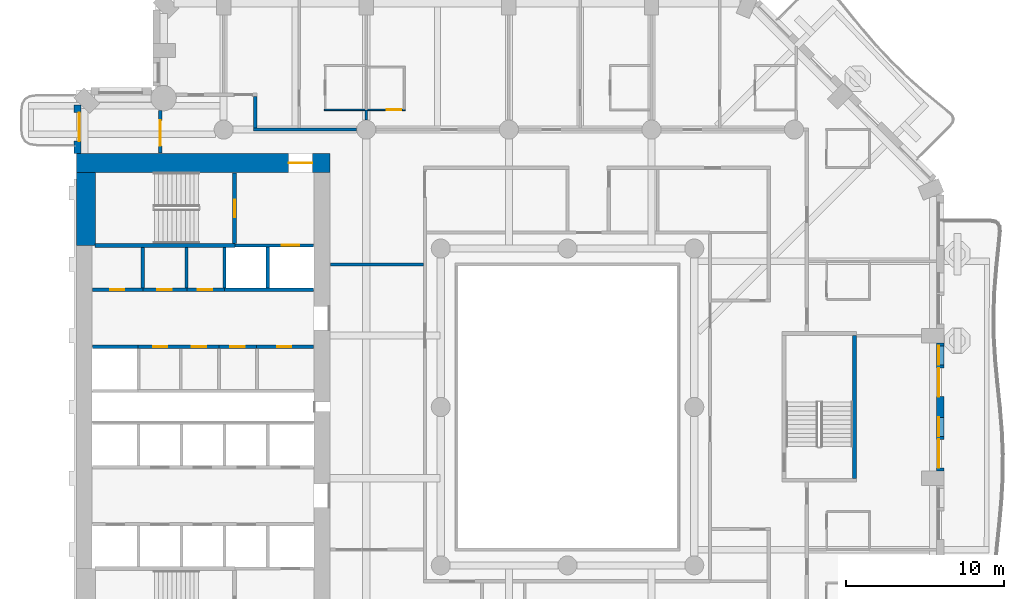
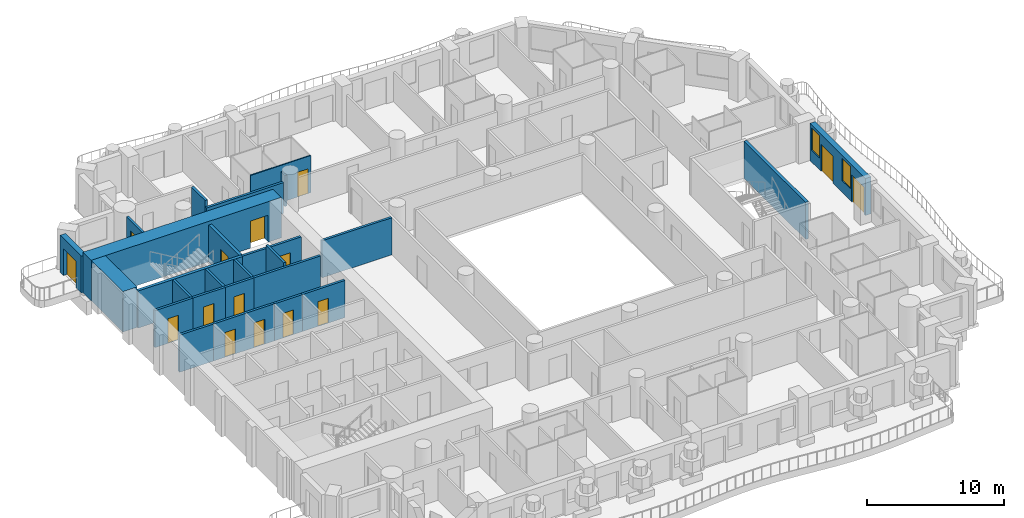
# One storey, part 7 of 20: 26 walls, 15 doors, 2 windows, 17 openings.
"""IFC4 building model written with IfcOpenShell, lengths in metres."""

from ifc_helpers import new_model, si_unit, direction, frame, frame_2d, origin, place, context, subcontext, project, spatial, rectangle, extrude, material, layer, layer_set, type_object, element, fill, save


model = new_model("IFC4")

# Units and contexts
model_context = context("Model", 3, precision=1e-05, world=origin(), true_north=direction((0.0, 1.0)))
body_context = subcontext(model_context, "Body", "Model", "MODEL_VIEW")
ifc_project = project(units=[si_unit("LENGTHUNIT", "METRE"), si_unit("AREAUNIT", "SQUARE_METRE"), si_unit("VOLUMEUNIT", "CUBIC_METRE"), si_unit("PLANEANGLEUNIT", "RADIAN"), si_unit("MASSUNIT", "GRAM", prefix="KILO")], contexts=[model_context])

# Site, building, storey
site_placement = place(None, origin())
site = spatial("IfcSite", under=ifc_project, at=site_placement, CompositionType="ELEMENT")
building_placement = place(site_placement, origin())
building = spatial("IfcBuilding", under=site, at=building_placement, Name="Cypress Arch Tower", CompositionType="ELEMENT")
storey_placement = place(building_placement, frame((0.0, 0.0, 80.699951171875)))
storey = spatial("IfcBuildingStorey", under=building, at=storey_placement, Name="L14", CompositionType="ELEMENT", Elevation=80.699951171875)

# Wall, opening, door
ifc_material_1 = material(Name="Brick (red buff blend)", Category="masonry")
ifc_layer_1 = layer(ifc_material_1, 0.449951171875)
ifc_layer_set_1 = layer_set([ifc_layer_1], Name="Brick pier and spandrel wall BW450")
wall_type_1 = type_object("IfcWallType", Name="Brick pier and spandrel wall BW450", PredefinedType="SOLIDWALL", material=ifc_layer_set_1)
wall_1_placement = place(storey_placement, frame((-29.925048828125, 19.063720703125, 0.0), z_axis=(0.0, 0.0, 1.0), x_axis=(0.0, -1.0, 0.0)))
wall_1 = element("IfcWall", 1, at=wall_1_placement, inside=storey, type_object=wall_type_1, Name="Brick wall L14 A00.0", PredefinedType="SOLIDWALL", context=body_context, shape_type="SweptSolid", body=[
    extrude(rectangle(XDim=3.063720703125, YDim=0.449951171875, at=frame_2d((1.53173828125, 0.0))), origin(), (0.0, 0.0, 1.0), 3.300048828125),
])
opening_1_placement = place(wall_1_placement, frame((0.481689453125, 0.0, 0.0)))
opening_1 = element("IfcOpeningElement", 2, at=opening_1_placement, cuts=wall_1, Name="Opening D-L14-A00.0.1", PredefinedType="OPENING", context=body_context, shape_type="SweptSolid", body=[
    extrude(rectangle(XDim=1.800048828125, YDim=2.39990234375, at=frame_2d((0.89990234375, 1.199951171875))), frame((0.0, 0.23486328125, 0.0), z_axis=(0.0, -1.0, 0.0), x_axis=(1.0, 0.0, 0.0)), (0.0, 0.0, 1.0), 0.469970703125),
])
ifc_material_2 = material(Name="Anodised aluminium, bronze finish, laminated low-emissivity double glazing, large-missile impact rated", Category="aluminium")
door_type_1 = type_object("IfcDoorType", Name="Balcony sliding door 1800x2400", OperationType="SLIDING_TO_LEFT", PredefinedType="DOOR", material=ifc_material_2)
door_1_placement = place(opening_1_placement, origin())
door_1 = element("IfcDoor", 3, at=door_1_placement, inside=storey, type_object=door_type_1, Name="Balcony door L14 A00.0.1", OperationType="SLIDING_TO_LEFT", OverallHeight=2.39990234375, OverallWidth=1.800048828125, PredefinedType="DOOR", context=body_context, shape_type="SweptSolid", body=[
    extrude(rectangle(XDim=1.800048828125, YDim=2.39990234375, at=frame_2d((0.89990234375, 1.199951171875))), frame((0.0, 0.1298828125, 0.0), z_axis=(0.0, -1.0, 0.0), x_axis=(1.0, 0.0, 0.0)), (0.0, 0.0, 1.0), 0.050048828125),
])
fill(opening_1, door_1)

# Wall, openings, doors, windows
wall_2_placement = place(storey_placement, frame((24.52490234375, -4.050048828125, 0.0), z_axis=(0.0, 0.0, 1.0), x_axis=(0.0, 1.0, 0.0)))
wall_2 = element("IfcWall", 4, at=wall_2_placement, inside=storey, type_object=wall_type_1, Name="Brick wall L14 A06.2", PredefinedType="SOLIDWALL", context=body_context, shape_type="SweptSolid", body=[
    extrude(rectangle(XDim=8.10009765625, YDim=0.449951171875, at=frame_2d((4.050048828125, 0.0))), origin(), (0.0, 0.0, 1.0), 3.300048828125),
])
opening_2_placement = place(wall_2_placement, frame((0.199951171875, 0.0, 0.0)))
opening_2 = element("IfcOpeningElement", 5, at=opening_2_placement, cuts=wall_2, Name="Opening D-L14-A06.2.1", PredefinedType="OPENING", context=body_context, shape_type="SweptSolid", body=[
    extrude(rectangle(XDim=1.800048828125, YDim=2.39990234375, at=frame_2d((0.89990234375, 1.199951171875))), frame((0.0, 0.23486328125, 0.0), z_axis=(0.0, -1.0, 0.0), x_axis=(1.0, 0.0, 0.0)), (0.0, 0.0, 1.0), 0.469970703125),
])
opening_3_placement = place(wall_2_placement, frame((2.199951171875, 0.0, 1.050048828125)))
opening_3 = element("IfcOpeningElement", 6, at=opening_3_placement, cuts=wall_2, Name="Opening W120HD", PredefinedType="OPENING", context=body_context, shape_type="SweptSolid", body=[
    extrude(rectangle(XDim=1.199951171875, YDim=2.0, at=frame_2d((0.60009765625, 1.0))), frame((0.0, 0.23486328125, 0.0), z_axis=(0.0, -1.0, 0.0), x_axis=(1.0, 0.0, 0.0)), (0.0, 0.0, 1.0), 0.469970703125),
])
opening_4_placement = place(wall_2_placement, frame((4.699951171875, 0.0, 0.0)))
opening_4 = element("IfcOpeningElement", 7, at=opening_4_placement, cuts=wall_2, Name="Opening D-L14-A06.2.2", PredefinedType="OPENING", context=body_context, shape_type="SweptSolid", body=[
    extrude(rectangle(XDim=1.800048828125, YDim=2.39990234375, at=frame_2d((0.89990234375, 1.199951171875))), frame((0.0, 0.23486328125, 0.0), z_axis=(0.0, -1.0, 0.0), x_axis=(1.0, 0.0, 0.0)), (0.0, 0.0, 1.0), 0.469970703125),
])
opening_5_placement = place(wall_2_placement, frame((6.699951171875, 0.0, 1.050048828125)))
opening_5 = element("IfcOpeningElement", 8, at=opening_5_placement, cuts=wall_2, Name="Opening W120HD", PredefinedType="OPENING", context=body_context, shape_type="SweptSolid", body=[
    extrude(rectangle(XDim=1.199951171875, YDim=2.0, at=frame_2d((0.60009765625, 1.0))), frame((0.0, 0.23486328125, 0.0), z_axis=(0.0, -1.0, 0.0), x_axis=(1.0, 0.0, 0.0)), (0.0, 0.0, 1.0), 0.469970703125),
])
door_2_placement = place(opening_2_placement, origin())
door_2 = element("IfcDoor", 9, at=door_2_placement, inside=storey, type_object=door_type_1, Name="Balcony door L14 A06.2.1", OperationType="SLIDING_TO_LEFT", OverallHeight=2.39990234375, OverallWidth=1.800048828125, PredefinedType="DOOR", context=body_context, shape_type="SweptSolid", body=[
    extrude(rectangle(XDim=1.800048828125, YDim=2.39990234375, at=frame_2d((0.89990234375, 1.199951171875))), frame((0.0, 0.1298828125, 0.0), z_axis=(0.0, -1.0, 0.0), x_axis=(1.0, 0.0, 0.0)), (0.0, 0.0, 1.0), 0.050048828125),
])
fill(opening_2, door_2)
door_3_placement = place(opening_4_placement, origin())
door_3 = element("IfcDoor", 10, at=door_3_placement, inside=storey, type_object=door_type_1, Name="Balcony door L14 A06.2.2", OperationType="SLIDING_TO_LEFT", OverallHeight=2.39990234375, OverallWidth=1.800048828125, PredefinedType="DOOR", context=body_context, shape_type="SweptSolid", body=[
    extrude(rectangle(XDim=1.800048828125, YDim=2.39990234375, at=frame_2d((0.89990234375, 1.199951171875))), frame((0.0, 0.1298828125, 0.0), z_axis=(0.0, -1.0, 0.0), x_axis=(1.0, 0.0, 0.0)), (0.0, 0.0, 1.0), 0.050048828125),
])
fill(opening_4, door_3)
ifc_material_3 = material(Name="Anodised aluminium, bronze finish, laminated low-emissivity double glazing, large-missile impact rated", Category="aluminium")
window_type = type_object("IfcWindowType", Name="Window Hotel 1200x2000 debris-rated", PartitioningType="SINGLE_PANEL", PredefinedType="WINDOW", material=ifc_material_3)
window_1_placement = place(opening_3_placement, origin())
window_1 = element("IfcWindow", 11, at=window_1_placement, inside=storey, type_object=window_type, Name="Window L14 A06.2.1", OverallHeight=2.0, OverallWidth=1.199951171875, PartitioningType="SINGLE_PANEL", PredefinedType="WINDOW", context=body_context, shape_type="SweptSolid", body=[
    extrude(rectangle(XDim=1.199951171875, YDim=2.0, at=frame_2d((0.60009765625, 1.0))), frame((0.0, 0.135009765625, 0.0), z_axis=(0.0, -1.0, 0.0), x_axis=(1.0, 0.0, 0.0)), (0.0, 0.0, 1.0), 0.06005859375),
])
fill(opening_3, window_1)
window_2_placement = place(opening_5_placement, origin())
window_2 = element("IfcWindow", 12, at=window_2_placement, inside=storey, type_object=window_type, Name="Window L14 A06.2.2", OverallHeight=2.0, OverallWidth=1.199951171875, PartitioningType="SINGLE_PANEL", PredefinedType="WINDOW", context=body_context, shape_type="SweptSolid", body=[
    extrude(rectangle(XDim=1.199951171875, YDim=2.0, at=frame_2d((0.60009765625, 1.0))), frame((0.0, 0.135009765625, 0.0), z_axis=(0.0, -1.0, 0.0), x_axis=(1.0, 0.0, 0.0)), (0.0, 0.0, 1.0), 0.06005859375),
])
fill(opening_5, window_2)

# Wall, opening, door
ifc_material_4 = material(Name="Concrete C80/95", Category="concrete")
ifc_layer_2 = layer(ifc_material_4, 1.199951171875)
ifc_layer_set_2 = layer_set([ifc_layer_2], Name="Core wall CW1200 C80/95")
wall_type_2 = type_object("IfcWallType", Name="Core wall CW1200 C80/95", PredefinedType="SHEAR", material=ifc_layer_set_2)
wall_3_placement = place(storey_placement, frame((-30.0, 15.39990234375, 0.0), z_axis=(0.0, 0.0, 1.0), x_axis=(1.0, 0.0, 0.0)))
wall_3 = element("IfcWall", 13, at=wall_3_placement, inside=storey, type_object=wall_type_2, Name="Core wall", PredefinedType="SHEAR", context=body_context, shape_type="SweptSolid", body=[
    extrude(rectangle(XDim=16.0, YDim=1.199951171875, at=frame_2d((8.0, 0.0))), origin(), (0.0, 0.0, 1.0), 3.60009765625),
])
opening_6_placement = place(wall_3_placement, frame((13.39990234375, 0.0, 0.0)))
opening_6 = element("IfcOpeningElement", 14, at=opening_6_placement, cuts=wall_3, Name="Opening D07", PredefinedType="OPENING", context=body_context, shape_type="SweptSolid", body=[
    extrude(rectangle(XDim=1.5, YDim=2.39990234375, at=frame_2d((0.75, 1.199951171875))), frame((0.0, 0.60986328125, 0.0), z_axis=(0.0, -1.0, 0.0), x_axis=(1.0, 0.0, 0.0)), (0.0, 0.0, 1.0), 1.219970703125),
])
ifc_material_5 = material(Name="Steel framed glazed door, fire resisting", Category="steel")
door_type_2 = type_object("IfcDoorType", Name="Lobby door D07 1500x2400", OperationType="DOUBLE_DOOR_SINGLE_SWING", PredefinedType="DOOR", material=ifc_material_5)
door_4_placement = place(opening_6_placement, origin())
door_4 = element("IfcDoor", 15, at=door_4_placement, inside=storey, type_object=door_type_2, Name="Lobby door", OperationType="DOUBLE_DOOR_SINGLE_SWING", OverallHeight=2.39990234375, OverallWidth=1.5, PredefinedType="DOOR", context=body_context, shape_type="SweptSolid", body=[
    extrude(rectangle(XDim=1.5, YDim=2.39990234375, at=frame_2d((0.75, 1.199951171875))), frame((0.0, 0.02490234375, 0.0), z_axis=(0.0, -1.0, 0.0), x_axis=(1.0, 0.0, 0.0)), (0.0, 0.0, 1.0), 0.050048828125),
])
fill(opening_6, door_4)

# Wall
wall_4_placement = place(storey_placement, frame((-29.39990234375, 10.199951171875, 0.0), z_axis=(0.0, 0.0, 1.0), x_axis=(0.0, 1.0, 0.0)))
element("IfcWall", 16, at=wall_4_placement, inside=storey, type_object=wall_type_2, Name="Core wall", PredefinedType="SHEAR", context=body_context, shape_type="SweptSolid", body=[
    extrude(rectangle(XDim=4.60009765625, YDim=1.199951171875, at=frame_2d((2.300048828125, 0.0))), origin(), (0.0, 0.0, 1.0), 3.60009765625),
])

# Wall, opening, door
ifc_material_6 = material(Name="Concrete blockwork, plastered, rated", Category="masonry")
ifc_layer_3 = layer(ifc_material_6, 0.199951171875)
ifc_layer_set_3 = layer_set([ifc_layer_3], Name="Corridor wall FW200")
wall_type_3 = type_object("IfcWallType", Name="Corridor wall FW200", PredefinedType="PARTITIONING", material=ifc_layer_set_3)
wall_5_placement = place(storey_placement, frame((-28.969970703125, 7.39990234375, 0.0), z_axis=(0.0, 0.0, 1.0), x_axis=(1.0, 0.0, 0.0)))
wall_5 = element("IfcWall", 17, at=wall_5_placement, inside=storey, type_object=wall_type_3, Name="Corridor wall", PredefinedType="PARTITIONING", context=body_context, shape_type="SweptSolid", body=[
    extrude(rectangle(XDim=3.18994140625, YDim=0.199951171875, at=frame_2d((1.594970703125, 0.0))), origin(), (0.0, 0.0, 1.0), 3.300048828125),
])
opening_7_placement = place(wall_5_placement, frame((1.10009765625, 0.0, 0.0)))
opening_7 = element("IfcOpeningElement", 18, at=opening_7_placement, cuts=wall_5, Name="Opening D05", PredefinedType="OPENING", context=body_context, shape_type="SweptSolid", body=[
    extrude(rectangle(XDim=0.89990234375, YDim=2.199951171875, at=frame_2d((0.449951171875, 1.10009765625))), frame((0.0, 0.10986328125, 0.0), z_axis=(0.0, -1.0, 0.0), x_axis=(1.0, 0.0, 0.0)), (0.0, 0.0, 1.0), 0.219970703125),
])
ifc_material_7 = material(Name="Timber flush door", Category="wood")
door_type_3 = type_object("IfcDoorType", Name="Service door D05 900x2200", OperationType="SINGLE_SWING_LEFT", PredefinedType="DOOR", material=ifc_material_7)
door_5_placement = place(opening_7_placement, origin())
door_5 = element("IfcDoor", 19, at=door_5_placement, inside=storey, type_object=door_type_3, Name="Service door", OperationType="SINGLE_SWING_RIGHT", OverallHeight=2.199951171875, OverallWidth=0.89990234375, PredefinedType="DOOR", context=body_context, shape_type="SweptSolid", body=[
    extrude(rectangle(XDim=0.89990234375, YDim=2.199951171875, at=frame_2d((0.449951171875, 1.10009765625))), frame((0.0, 0.02490234375, 0.0), z_axis=(0.0, -1.0, 0.0), x_axis=(1.0, 0.0, 0.0)), (0.0, 0.0, 1.0), 0.050048828125),
])
fill(opening_7, door_5)

# Wall, openings, doors
wall_6_placement = place(storey_placement, frame((-26.10009765625, 3.800048828125, 0.0), z_axis=(0.0, 0.0, 1.0), x_axis=(1.0, 0.0, 0.0)))
wall_6 = element("IfcWall", 20, at=wall_6_placement, inside=storey, type_object=wall_type_3, Name="Corridor wall", PredefinedType="PARTITIONING", context=body_context, shape_type="SweptSolid", body=[
    extrude(rectangle(XDim=5.1201171875, YDim=0.199951171875, at=frame_2d((2.56005859375, 0.0))), origin(), (0.0, 0.0, 1.0), 3.300048828125),
])
opening_8_placement = place(wall_6_placement, frame((0.949951171875, 0.0, 0.0)))
opening_8 = element("IfcOpeningElement", 21, at=opening_8_placement, cuts=wall_6, Name="Opening D05", PredefinedType="OPENING", context=body_context, shape_type="SweptSolid", body=[
    extrude(rectangle(XDim=0.89990234375, YDim=2.199951171875, at=frame_2d((0.449951171875, 1.10009765625))), frame((0.0, 0.10986328125, 0.0), z_axis=(0.0, -1.0, 0.0), x_axis=(1.0, 0.0, 0.0)), (0.0, 0.0, 1.0), 0.219970703125),
])
opening_9_placement = place(wall_6_placement, frame((3.39990234375, 0.0, 0.0)))
opening_9 = element("IfcOpeningElement", 22, at=opening_9_placement, cuts=wall_6, Name="Opening D05", PredefinedType="OPENING", context=body_context, shape_type="SweptSolid", body=[
    extrude(rectangle(XDim=0.89990234375, YDim=2.199951171875, at=frame_2d((0.449951171875, 1.10009765625))), frame((0.0, 0.10986328125, 0.0), z_axis=(0.0, -1.0, 0.0), x_axis=(1.0, 0.0, 0.0)), (0.0, 0.0, 1.0), 0.219970703125),
])
door_6_placement = place(opening_8_placement, origin())
door_6 = element("IfcDoor", 23, at=door_6_placement, inside=storey, type_object=door_type_3, Name="Service door", OperationType="SINGLE_SWING_LEFT", OverallHeight=2.199951171875, OverallWidth=0.89990234375, PredefinedType="DOOR", context=body_context, shape_type="SweptSolid", body=[
    extrude(rectangle(XDim=0.89990234375, YDim=2.199951171875, at=frame_2d((0.449951171875, 1.10009765625))), frame((0.0, 0.02490234375, 0.0), z_axis=(0.0, -1.0, 0.0), x_axis=(1.0, 0.0, 0.0)), (0.0, 0.0, 1.0), 0.050048828125),
])
fill(opening_8, door_6)
door_7_placement = place(opening_9_placement, origin())
door_7 = element("IfcDoor", 24, at=door_7_placement, inside=storey, type_object=door_type_3, Name="Service door", OperationType="SINGLE_SWING_RIGHT", OverallHeight=2.199951171875, OverallWidth=0.89990234375, PredefinedType="DOOR", context=body_context, shape_type="SweptSolid", body=[
    extrude(rectangle(XDim=0.89990234375, YDim=2.199951171875, at=frame_2d((0.449951171875, 1.10009765625))), frame((0.0, 0.02490234375, 0.0), z_axis=(0.0, -1.0, 0.0), x_axis=(1.0, 0.0, 0.0)), (0.0, 0.0, 1.0), 0.050048828125),
])
fill(opening_9, door_7)

# Wall, opening, door
wall_7_placement = place(storey_placement, frame((-24.699951171875, 16.030029296875, 0.0), z_axis=(0.0, 0.0, 1.0), x_axis=(0.0, 1.0, 0.0)))
wall_7 = element("IfcWall", 25, at=wall_7_placement, inside=storey, type_object=wall_type_3, Name="Corridor wall", PredefinedType="PARTITIONING", context=body_context, shape_type="SweptSolid", body=[
    extrude(rectangle(XDim=2.670166015625, YDim=0.199951171875, at=frame_2d((1.3349609375, 0.0))), origin(), (0.0, 0.0, 1.0), 3.300048828125),
])
opening_10_placement = place(wall_7_placement, frame((0.449951171875, 0.0, 0.0)))
opening_10 = element("IfcOpeningElement", 26, at=opening_10_placement, cuts=wall_7, Name="Opening D10", PredefinedType="OPENING", context=body_context, shape_type="SweptSolid", body=[
    extrude(rectangle(XDim=1.60009765625, YDim=2.39990234375, at=frame_2d((0.800048828125, 1.199951171875))), frame((0.0, 0.10986328125, 0.0), z_axis=(0.0, -1.0, 0.0), x_axis=(1.0, 0.0, 0.0)), (0.0, 0.0, 1.0), 0.219970703125),
])
ifc_material_8 = material(Name="Black aluminium glazed door", Category="aluminium")
door_type_4 = type_object("IfcDoorType", Name="Amenity door D10 1600x2400", OperationType="DOUBLE_DOOR_SINGLE_SWING", PredefinedType="DOOR", material=ifc_material_8)
door_8_placement = place(opening_10_placement, origin())
door_8 = element("IfcDoor", 27, at=door_8_placement, inside=storey, type_object=door_type_4, Name="Amenity door", OperationType="DOUBLE_DOOR_SINGLE_SWING", OverallHeight=2.39990234375, OverallWidth=1.60009765625, PredefinedType="DOOR", context=body_context, shape_type="SweptSolid", body=[
    extrude(rectangle(XDim=1.60009765625, YDim=2.39990234375, at=frame_2d((0.800048828125, 1.199951171875))), frame((0.0, 0.02490234375, 0.0), z_axis=(0.0, -1.0, 0.0), x_axis=(1.0, 0.0, 0.0)), (0.0, 0.0, 1.0), 0.050048828125),
])
fill(opening_10, door_8)

wall_8_placement = place(storey_placement, frame((-23.02001953125, 7.39990234375, 0.0), z_axis=(0.0, 0.0, 1.0), x_axis=(1.0, 0.0, 0.0)))
wall_8 = element("IfcWall", 28, at=wall_8_placement, inside=storey, type_object=wall_type_3, Name="Corridor wall", PredefinedType="PARTITIONING", context=body_context, shape_type="SweptSolid", body=[
    extrude(rectangle(XDim=2.380126953125, YDim=0.199951171875, at=frame_2d((1.18994140625, 0.0))), origin(), (0.0, 0.0, 1.0), 3.300048828125),
])
opening_11_placement = place(wall_8_placement, frame((0.699951171875, 0.0, 0.0)))
opening_11 = element("IfcOpeningElement", 29, at=opening_11_placement, cuts=wall_8, Name="Opening D05", PredefinedType="OPENING", context=body_context, shape_type="SweptSolid", body=[
    extrude(rectangle(XDim=0.89990234375, YDim=2.199951171875, at=frame_2d((0.449951171875, 1.10009765625))), frame((0.0, 0.10986328125, 0.0), z_axis=(0.0, -1.0, 0.0), x_axis=(1.0, 0.0, 0.0)), (0.0, 0.0, 1.0), 0.219970703125),
])
door_9_placement = place(opening_11_placement, origin())
door_9 = element("IfcDoor", 30, at=door_9_placement, inside=storey, type_object=door_type_3, Name="Service door", OperationType="SINGLE_SWING_LEFT", OverallHeight=2.199951171875, OverallWidth=0.89990234375, PredefinedType="DOOR", context=body_context, shape_type="SweptSolid", body=[
    extrude(rectangle(XDim=0.89990234375, YDim=2.199951171875, at=frame_2d((0.449951171875, 1.10009765625))), frame((0.0, 0.02490234375, 0.0), z_axis=(0.0, -1.0, 0.0), x_axis=(1.0, 0.0, 0.0)), (0.0, 0.0, 1.0), 0.050048828125),
])
fill(opening_11, door_9)

# Walls
wall_9_placement = place(storey_placement, frame((-18.699951171875, 17.60009765625, 0.0), z_axis=(0.0, 0.0, 1.0), x_axis=(0.0, 1.0, 0.0)))
element("IfcWall", 31, at=wall_9_placement, inside=storey, type_object=wall_type_3, Name="Corridor wall", PredefinedType="PARTITIONING", context=body_context, shape_type="SweptSolid", body=[
    extrude(rectangle(XDim=2.0, YDim=0.199951171875, at=frame_2d((1.0, 0.0))), origin(), (0.0, 0.0, 1.0), 3.300048828125),
])
wall_10_placement = place(storey_placement, frame((-18.800048828125, 17.5, 0.0), z_axis=(0.0, 0.0, 1.0), x_axis=(1.0, 0.0, 0.0)))
element("IfcWall", 32, at=wall_10_placement, inside=storey, type_object=wall_type_3, Name="Corridor wall", PredefinedType="PARTITIONING", context=body_context, shape_type="SweptSolid", body=[
    extrude(rectangle(XDim=6.5, YDim=0.199951171875, at=frame_2d((3.25, 0.0))), origin(), (0.0, 0.0, 1.0), 2.75),
])

# Wall, opening, door
wall_11_placement = place(storey_placement, frame((-18.6201171875, 3.800048828125, 0.0), z_axis=(0.0, 0.0, 1.0), x_axis=(1.0, 0.0, 0.0)))
wall_11 = element("IfcWall", 33, at=wall_11_placement, inside=storey, type_object=wall_type_3, Name="Corridor wall", PredefinedType="PARTITIONING", context=body_context, shape_type="SweptSolid", body=[
    extrude(rectangle(XDim=3.590087890625, YDim=0.199951171875, at=frame_2d((1.794921875, 0.0))), origin(), (0.0, 0.0, 1.0), 3.300048828125),
])
opening_12_placement = place(wall_11_placement, frame((1.300048828125, 0.0, 0.0)))
opening_12 = element("IfcOpeningElement", 34, at=opening_12_placement, cuts=wall_11, Name="Opening D05", PredefinedType="OPENING", context=body_context, shape_type="SweptSolid", body=[
    extrude(rectangle(XDim=0.89990234375, YDim=2.199951171875, at=frame_2d((0.449951171875, 1.10009765625))), frame((0.0, 0.10986328125, 0.0), z_axis=(0.0, -1.0, 0.0), x_axis=(1.0, 0.0, 0.0)), (0.0, 0.0, 1.0), 0.219970703125),
])
door_10_placement = place(opening_12_placement, origin())
door_10 = element("IfcDoor", 35, at=door_10_placement, inside=storey, type_object=door_type_3, Name="Service door", OperationType="SINGLE_SWING_RIGHT", OverallHeight=2.199951171875, OverallWidth=0.89990234375, PredefinedType="DOOR", context=body_context, shape_type="SweptSolid", body=[
    extrude(rectangle(XDim=0.89990234375, YDim=2.199951171875, at=frame_2d((0.449951171875, 1.10009765625))), frame((0.0, 0.02490234375, 0.0), z_axis=(0.0, -1.0, 0.0), x_axis=(1.0, 0.0, 0.0)), (0.0, 0.0, 1.0), 0.050048828125),
])
fill(opening_12, door_10)

# Walls
wall_12_placement = place(storey_placement, frame((-13.969970703125, 9.0, 0.0), z_axis=(0.0, 0.0, 1.0), x_axis=(1.0, 0.0, 0.0)))
element("IfcWall", 36, at=wall_12_placement, inside=storey, type_object=wall_type_3, Name="Corridor wall", PredefinedType="PARTITIONING", context=body_context, shape_type="SweptSolid", body=[
    extrude(rectangle(XDim=5.869873046875, YDim=0.199951171875, at=frame_2d((2.93505859375, 0.0))), origin(), (0.0, 0.0, 1.0), 3.300048828125),
])
ifc_material_9 = material(Name="Blockwork, plastered both sides", Category="masonry")
ifc_layer_4 = layer(ifc_material_9, 0.14990234375)
ifc_layer_set_4 = layer_set([ifc_layer_4], Name="Partition PW150")
wall_type_4 = type_object("IfcWallType", Name="Partition PW150", PredefinedType="PARTITIONING", material=ifc_layer_set_4)
wall_13_placement = place(storey_placement, frame((-11.699951171875, 18.10009765625, 0.0), z_axis=(0.0, 0.0, 1.0), x_axis=(0.0, 1.0, 0.0)))
element("IfcWall", 37, at=wall_13_placement, inside=storey, type_object=wall_type_4, Name="Partition", PredefinedType="PARTITIONING", context=body_context, shape_type="SweptSolid", body=[
    extrude(rectangle(XDim=0.6298828125, YDim=0.14990234375, at=frame_2d((0.31494140625, 0.0))), origin(), (0.0, 0.0, 1.0), 2.75),
])

# Wall, opening, door
ifc_material_10 = material(Name="Reinforced blockwork, plastered, rated", Category="masonry")
ifc_layer_5 = layer(ifc_material_10, 0.199951171875)
ifc_layer_set_5 = layer_set([ifc_layer_5], Name="Plant and riser wall PL200")
wall_type_5 = type_object("IfcWallType", Name="Plant and riser wall PL200", PredefinedType="PARTITIONING", material=ifc_layer_set_5)
wall_14_placement = place(storey_placement, frame((-25.780029296875, 7.39990234375, 0.0), z_axis=(0.0, 0.0, 1.0), x_axis=(1.0, 0.0, 0.0)))
wall_14 = element("IfcWall", 38, at=wall_14_placement, inside=storey, type_object=wall_type_5, Name="Plant and riser wall", PredefinedType="PARTITIONING", context=body_context, shape_type="SweptSolid", body=[
    extrude(rectangle(XDim=2.760009765625, YDim=0.199951171875, at=frame_2d((1.3798828125, 0.0))), origin(), (0.0, 0.0, 1.0), 3.300048828125),
])
opening_13_placement = place(wall_14_placement, frame((0.89990234375, 0.0, 0.0)))
opening_13 = element("IfcOpeningElement", 39, at=opening_13_placement, cuts=wall_14, Name="Opening D05", PredefinedType="OPENING", context=body_context, shape_type="SweptSolid", body=[
    extrude(rectangle(XDim=0.89990234375, YDim=2.199951171875, at=frame_2d((0.449951171875, 1.10009765625))), frame((0.0, 0.10986328125, 0.0), z_axis=(0.0, -1.0, 0.0), x_axis=(1.0, 0.0, 0.0)), (0.0, 0.0, 1.0), 0.219970703125),
])
door_11_placement = place(opening_13_placement, origin())
door_11 = element("IfcDoor", 40, at=door_11_placement, inside=storey, type_object=door_type_3, Name="Service door", OperationType="SINGLE_SWING_LEFT", OverallHeight=2.199951171875, OverallWidth=0.89990234375, PredefinedType="DOOR", context=body_context, shape_type="SweptSolid", body=[
    extrude(rectangle(XDim=0.89990234375, YDim=2.199951171875, at=frame_2d((0.449951171875, 1.10009765625))), frame((0.0, 0.02490234375, 0.0), z_axis=(0.0, -1.0, 0.0), x_axis=(1.0, 0.0, 0.0)), (0.0, 0.0, 1.0), 0.050048828125),
])
fill(opening_13, door_11)

# Walls
for number, where, z_axis, x_axis, name in (
    (41, (-25.800048828125, 7.5, 0.0), (0.0, 0.0, 1.0), (0.0, 1.0, 0.0), "Plant and riser wall"),
    (42, (-23.0400390625, 7.5, 0.0), (0.0, 0.0, 1.0), (0.0, 1.0, 0.0), "Plant and riser wall"),
):
    element("IfcWall", number, at=place(storey_placement, frame(where, z_axis=z_axis, x_axis=x_axis)), inside=storey, type_object=wall_type_5, Name=name, PredefinedType="PARTITIONING", context=body_context, shape_type="SweptSolid", body=[
        extrude(rectangle(XDim=2.574951171875, YDim=0.199951171875, at=frame_2d((1.28759765625, 0.0))), origin(), (0.0, 0.0, 1.0), 3.300048828125),
    ])

# Wall, opening, door
wall_15_placement = place(storey_placement, frame((-20.97998046875, 3.800048828125, 0.0), z_axis=(0.0, 0.0, 1.0), x_axis=(1.0, 0.0, 0.0)))
wall_15 = element("IfcWall", 43, at=wall_15_placement, inside=storey, type_object=wall_type_5, Name="Plant and riser wall", PredefinedType="PARTITIONING", context=body_context, shape_type="SweptSolid", body=[
    extrude(rectangle(XDim=2.35986328125, YDim=0.199951171875, at=frame_2d((1.179931640625, 0.0))), origin(), (0.0, 0.0, 1.0), 3.300048828125),
])
opening_14_placement = place(wall_15_placement, frame((0.699951171875, 0.0, 0.0)))
opening_14 = element("IfcOpeningElement", 44, at=opening_14_placement, cuts=wall_15, Name="Opening D05", PredefinedType="OPENING", context=body_context, shape_type="SweptSolid", body=[
    extrude(rectangle(XDim=0.89990234375, YDim=2.199951171875, at=frame_2d((0.449951171875, 1.10009765625))), frame((0.0, 0.10986328125, 0.0), z_axis=(0.0, -1.0, 0.0), x_axis=(1.0, 0.0, 0.0)), (0.0, 0.0, 1.0), 0.219970703125),
])
door_12_placement = place(opening_14_placement, origin())
door_12 = element("IfcDoor", 45, at=door_12_placement, inside=storey, type_object=door_type_3, Name="Service door", OperationType="SINGLE_SWING_RIGHT", OverallHeight=2.199951171875, OverallWidth=0.89990234375, PredefinedType="DOOR", context=body_context, shape_type="SweptSolid", body=[
    extrude(rectangle(XDim=0.89990234375, YDim=2.199951171875, at=frame_2d((0.449951171875, 1.10009765625))), frame((0.0, 0.02490234375, 0.0), z_axis=(0.0, -1.0, 0.0), x_axis=(1.0, 0.0, 0.0)), (0.0, 0.0, 1.0), 0.050048828125),
])
fill(opening_14, door_12)

# Walls
ifc_material_11 = material(Name="Concrete C50/60", Category="concrete")
ifc_layer_6 = layer(ifc_material_11, 0.199951171875)
ifc_layer_set_6 = layer_set([ifc_layer_6], Name="Shaft wall SH200")
wall_type_6 = type_object("IfcWallType", Name="Shaft wall SH200", PredefinedType="SHEAR", material=ifc_layer_set_6)
wall_16_placement = place(storey_placement, frame((-28.969970703125, 3.800048828125, 0.0), z_axis=(0.0, 0.0, 1.0), x_axis=(1.0, 0.0, 0.0)))
element("IfcWall", 46, at=wall_16_placement, inside=storey, type_object=wall_type_6, Name="Shaft wall", PredefinedType="SHEAR", context=body_context, shape_type="SweptSolid", body=[
    extrude(rectangle(XDim=2.869873046875, YDim=0.199951171875, at=frame_2d((1.43505859375, 0.0))), origin(), (0.0, 0.0, 1.0), 3.300048828125),
])
wall_17_placement = place(storey_placement, frame((-20.639892578125, 7.5, 0.0), z_axis=(0.0, 0.0, 1.0), x_axis=(0.0, 1.0, 0.0)))
element("IfcWall", 47, at=wall_17_placement, inside=storey, type_object=wall_type_6, Name="Shaft wall", PredefinedType="SHEAR", context=body_context, shape_type="SweptSolid", body=[
    extrude(rectangle(XDim=2.574951171875, YDim=0.199951171875, at=frame_2d((1.28759765625, 0.0))), origin(), (0.0, 0.0, 1.0), 3.300048828125),
])
wall_18_placement = place(storey_placement, frame((-20.639892578125, 7.39990234375, 0.0), z_axis=(0.0, 0.0, 1.0), x_axis=(1.0, 0.0, 0.0)))
element("IfcWall", 48, at=wall_18_placement, inside=storey, type_object=wall_type_6, Name="Shaft wall", PredefinedType="SHEAR", context=body_context, shape_type="SweptSolid", body=[
    extrude(rectangle(XDim=5.60986328125, YDim=0.199951171875, at=frame_2d((2.804931640625, 0.0))), origin(), (0.0, 0.0, 1.0), 3.300048828125),
])

# Wall, opening, door
wall_19_placement = place(storey_placement, frame((-19.97998046875, 10.199951171875, 0.0), z_axis=(0.0, 0.0, 1.0), x_axis=(1.0, 0.0, 0.0)))
wall_19 = element("IfcWall", 49, at=wall_19_placement, inside=storey, type_object=wall_type_6, Name="Shaft wall", PredefinedType="SHEAR", context=body_context, shape_type="SweptSolid", body=[
    extrude(rectangle(XDim=4.949951171875, YDim=0.199951171875, at=frame_2d((2.47509765625, 0.0))), origin(), (0.0, 0.0, 1.0), 3.300048828125),
])
opening_15_placement = place(wall_19_placement, frame((2.949951171875, 0.0, 0.0)))
opening_15 = element("IfcOpeningElement", 50, at=opening_15_placement, cuts=wall_19, Name="Opening LD-FL2", PredefinedType="OPENING", context=body_context, shape_type="SweptSolid", body=[
    extrude(rectangle(XDim=1.10009765625, YDim=2.199951171875, at=frame_2d((0.550048828125, 1.10009765625))), frame((0.0, 0.10986328125, 0.0), z_axis=(0.0, -1.0, 0.0), x_axis=(1.0, 0.0, 0.0)), (0.0, 0.0, 1.0), 0.219970703125),
])
ifc_material_12 = material(Name="Stainless steel centre-opening landing door, rated", Category="steel")
door_type_5 = type_object("IfcDoorType", Name="Lift landing door LD 1100x2200", OperationType="DOUBLE_DOOR_SLIDING", PredefinedType="DOOR", material=ifc_material_12)
door_13_placement = place(opening_15_placement, origin())
door_13 = element("IfcDoor", 51, at=door_13_placement, inside=storey, type_object=door_type_5, Name="Lift landing doors FL2", OperationType="DOUBLE_DOOR_SLIDING", OverallHeight=2.199951171875, OverallWidth=1.10009765625, PredefinedType="DOOR", context=body_context, shape_type="SweptSolid", body=[
    extrude(rectangle(XDim=1.10009765625, YDim=2.199951171875, at=frame_2d((0.550048828125, 1.10009765625))), frame((0.0, 0.02490234375, 0.0), z_axis=(0.0, -1.0, 0.0), x_axis=(1.0, 0.0, 0.0)), (0.0, 0.0, 1.0), 0.050048828125),
])
fill(opening_15, door_13)

# Walls
wall_20_placement = place(storey_placement, frame((-17.919921875, 7.5, 0.0), z_axis=(0.0, 0.0, 1.0), x_axis=(0.0, 1.0, 0.0)))
element("IfcWall", 52, at=wall_20_placement, inside=storey, type_object=wall_type_6, Name="Shaft wall", PredefinedType="SHEAR", context=body_context, shape_type="SweptSolid", body=[
    extrude(rectangle(XDim=2.60009765625, YDim=0.199951171875, at=frame_2d((1.300048828125, 0.0))), origin(), (0.0, 0.0, 1.0), 3.60009765625),
])
ifc_material_13 = material(Name="Concrete C50/60", Category="concrete")
ifc_layer_7 = layer(ifc_material_13, 0.25)
ifc_layer_set_7 = layer_set([ifc_layer_7], Name="Stair enclosure wall SW250")
wall_type_7 = type_object("IfcWallType", Name="Stair enclosure wall SW250", PredefinedType="SHEAR", material=ifc_layer_set_7)
wall_21_placement = place(storey_placement, frame((-28.81005859375, 10.199951171875, 0.0), z_axis=(0.0, 0.0, 1.0), x_axis=(1.0, 0.0, 0.0)))
element("IfcWall", 53, at=wall_21_placement, inside=storey, type_object=wall_type_7, Name="Stair enclosure wall", PredefinedType="SHEAR", context=body_context, shape_type="SweptSolid", body=[
    extrude(rectangle(XDim=8.830078125, YDim=0.25, at=frame_2d((4.4150390625, 0.0))), origin(), (0.0, 0.0, 1.0), 3.300048828125),
])

# Wall, opening, door
wall_22_placement = place(storey_placement, frame((-20.0, 10.324951171875, 0.0), z_axis=(0.0, 0.0, 1.0), x_axis=(0.0, 1.0, 0.0)))
wall_22 = element("IfcWall", 54, at=wall_22_placement, inside=storey, type_object=wall_type_7, Name="Stair enclosure wall", PredefinedType="SHEAR", context=body_context, shape_type="SweptSolid", body=[
    extrude(rectangle(XDim=4.445068359375, YDim=0.25, at=frame_2d((2.22265625, 0.0))), origin(), (0.0, 0.0, 1.0), 3.300048828125),
])
opening_16_placement = place(wall_22_placement, frame((1.64990234375, 0.0, 0.0)))
opening_16 = element("IfcOpeningElement", 55, at=opening_16_placement, cuts=wall_22, Name="Opening D06", PredefinedType="OPENING", context=body_context, shape_type="SweptSolid", body=[
    extrude(rectangle(XDim=1.10009765625, YDim=2.199951171875, at=frame_2d((0.550048828125, 1.10009765625))), frame((0.0, 0.135009765625, 0.0), z_axis=(0.0, -1.0, 0.0), x_axis=(1.0, 0.0, 0.0)), (0.0, 0.0, 1.0), 0.27001953125),
])
ifc_material_14 = material(Name="Steel door, fire resisting, panic bar", Category="steel")
door_type_6 = type_object("IfcDoorType", Name="Stair door D06 1100x2200", OperationType="SINGLE_SWING_LEFT", PredefinedType="DOOR", material=ifc_material_14)
door_14_placement = place(opening_16_placement, origin())
door_14 = element("IfcDoor", 56, at=door_14_placement, inside=storey, type_object=door_type_6, Name="Stair door", OperationType="SINGLE_SWING_LEFT", OverallHeight=2.199951171875, OverallWidth=1.10009765625, PredefinedType="DOOR", context=body_context, shape_type="SweptSolid", body=[
    extrude(rectangle(XDim=1.10009765625, YDim=2.199951171875, at=frame_2d((0.550048828125, 1.10009765625))), frame((0.0, 0.02490234375, 0.0), z_axis=(0.0, -1.0, 0.0), x_axis=(1.0, 0.0, 0.0)), (0.0, 0.0, 1.0), 0.050048828125),
])
fill(opening_16, door_14)

# Wall
wall_23_placement = place(storey_placement, frame((19.125, -4.5, 0.0), z_axis=(0.0, 0.0, 1.0), x_axis=(0.0, 1.0, 0.0)))
element("IfcWall", 57, at=wall_23_placement, inside=storey, type_object=wall_type_7, Name="Stair enclosure wall", PredefinedType="SHEAR", context=body_context, shape_type="SweptSolid", body=[
    extrude(rectangle(XDim=9.0, YDim=0.25, at=frame_2d((4.5, 0.0))), origin(), (0.0, 0.0, 1.0), 3.300048828125),
])

# Wall, opening, door
ifc_material_15 = material(Name="Moisture resistant board on steel studs, tiled", Category="steel")
ifc_layer_8 = layer(ifc_material_15, 0.10009765625)
ifc_layer_set_8 = layer_set([ifc_layer_8], Name="Wet wall PW100")
wall_type_8 = type_object("IfcWallType", Name="Wet wall PW100", PredefinedType="PARTITIONING", material=ifc_layer_set_8)
wall_24_placement = place(storey_placement, frame((-14.345947265625, 18.75, 0.0), z_axis=(0.0, 0.0, 1.0), x_axis=(1.0, 0.0, 0.0)))
wall_24 = element("IfcWall", 58, at=wall_24_placement, inside=storey, type_object=wall_type_8, Name="Wet wall", PredefinedType="PARTITIONING", context=body_context, shape_type="SweptSolid", body=[
    extrude(rectangle(XDim=5.092041015625, YDim=0.10009765625, at=frame_2d((2.5458984375, 0.0))), origin(), (0.0, 0.0, 1.0), 3.300048828125),
])
opening_17_placement = place(wall_24_placement, frame((3.949951171875, 0.0, 0.0)))
opening_17 = element("IfcOpeningElement", 59, at=opening_17_placement, cuts=wall_24, Name="Opening D03", PredefinedType="OPENING", context=body_context, shape_type="SweptSolid", body=[
    extrude(rectangle(XDim=0.89990234375, YDim=2.199951171875, at=frame_2d((0.449951171875, 1.10009765625))), frame((0.0, 0.06005859375, 0.0), z_axis=(0.0, -1.0, 0.0), x_axis=(1.0, 0.0, 0.0)), (0.0, 0.0, 1.0), 0.1201171875),
])
ifc_material_16 = material(Name="Timber flush door, moisture resistant", Category="wood")
door_type_7 = type_object("IfcDoorType", Name="Bathroom door D03 900x2200", OperationType="SINGLE_SWING_LEFT", PredefinedType="DOOR", material=ifc_material_16)
door_15_placement = place(opening_17_placement, origin())
door_15 = element("IfcDoor", 60, at=door_15_placement, inside=storey, type_object=door_type_7, Name="Bathroom door", OperationType="SINGLE_SWING_RIGHT", OverallHeight=2.199951171875, OverallWidth=0.89990234375, PredefinedType="DOOR", context=body_context, shape_type="SweptSolid", body=[
    extrude(rectangle(XDim=0.89990234375, YDim=2.199951171875, at=frame_2d((0.449951171875, 1.10009765625))), frame((0.0, 0.02490234375, 0.0), z_axis=(0.0, -1.0, 0.0), x_axis=(1.0, 0.0, 0.0)), (0.0, 0.0, 1.0), 0.050048828125),
])
fill(opening_17, door_15)

save(model, "model.ifc")
